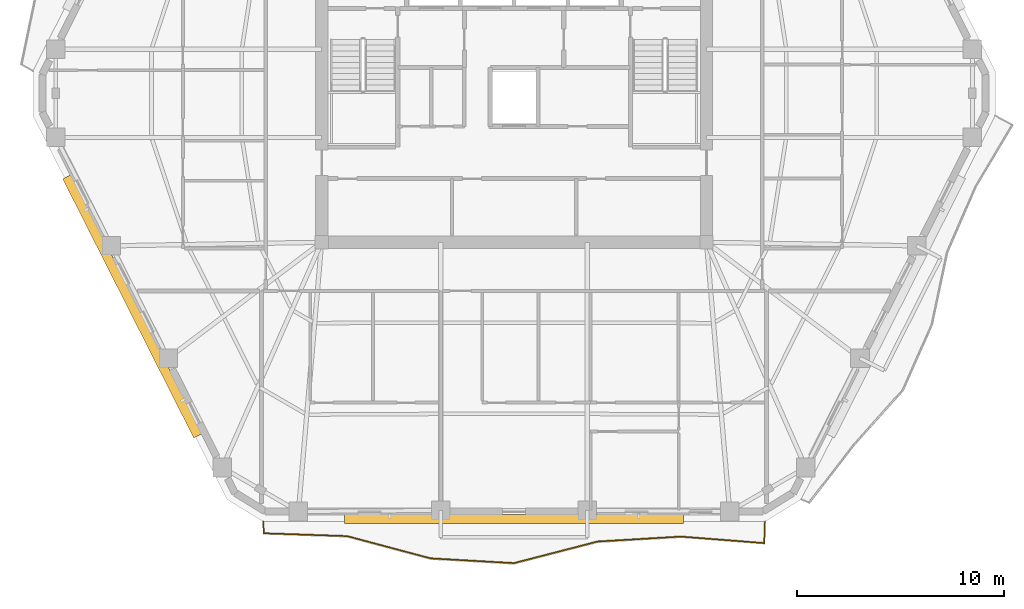
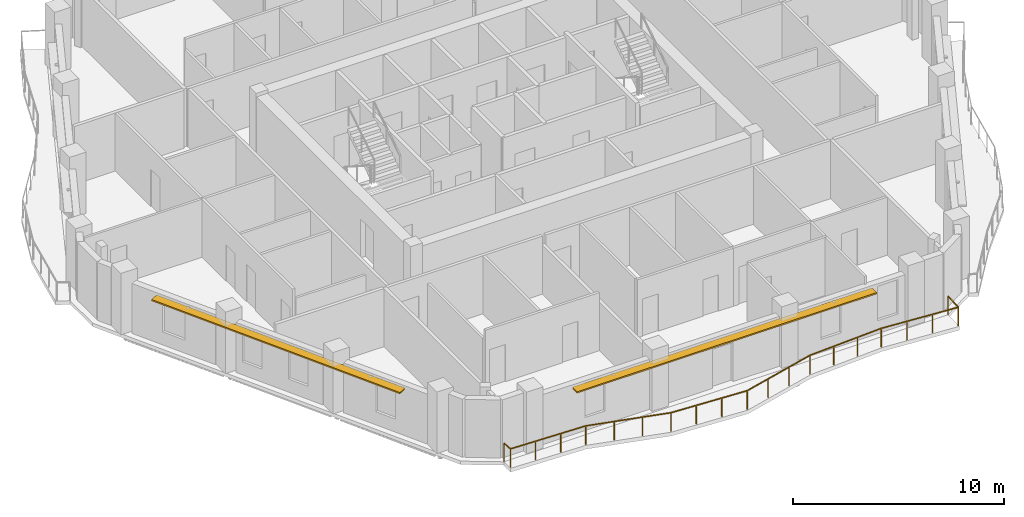
# One storey, part 9 of 11: 2 shading devices, 1 railing.
"""IFC4 building model written with IfcOpenShell, lengths in metres."""

from ifc_helpers import new_model, si_unit, direction, frame, origin, origin_2d, place, context, subcontext, project, spatial, rectangle, extrude, material, layer, layer_set, type_object, element, save


model = new_model("IFC4")

# Units and contexts
model_context = context("Model", 3, precision=1e-05, world=origin(), true_north=direction((0.0, 1.0)))
body_context = subcontext(model_context, "Body", "Model", "MODEL_VIEW")
ifc_project = project(units=[si_unit("LENGTHUNIT", "METRE"), si_unit("AREAUNIT", "SQUARE_METRE"), si_unit("VOLUMEUNIT", "CUBIC_METRE"), si_unit("PLANEANGLEUNIT", "RADIAN"), si_unit("MASSUNIT", "GRAM", prefix="KILO")], contexts=[model_context])

# Site, building, storey
site_placement = place(None, origin())
site = spatial("IfcSite", under=ifc_project, at=site_placement, CompositionType="ELEMENT")
building_placement = place(site_placement, origin())
building = spatial("IfcBuilding", under=site, at=building_placement, Name="Cinnabar Lancet Tower", CompositionType="ELEMENT")
storey_placement = place(building_placement, frame((0.0, 0.0, 182.550048828125)))
storey = spatial("IfcBuildingStorey", under=building, at=storey_placement, Name="L48", CompositionType="ELEMENT", Elevation=182.550048828125)

# Railing
ifc_material_1 = material(Name="Laminated safety glass and bronze stainless steel balustrade", Category="steel")
railing_type = type_object("IfcRailingType", Name="ENV-RLG-BAL-1100", PredefinedType="BALUSTRADE", material=ifc_material_1)
railing_placement = place(storey_placement, frame((20.27197265625, 5.10009765625, 0.0)))
element("IfcRailing", 1, at=railing_placement, inside=storey, type_object=railing_type, Name="L48 Face 1 Wave Balcony Balustrade", PredefinedType="BALUSTRADE", context=body_context, shape_type="SweptSolid", body=[
    extrude(rectangle(XDim=0.048095703125, YDim=0.048095703125, at=origin_2d()), frame((0.0, 0.0, 1.076171875), z_axis=(0.061893251, -0.998082774864, 0.0), x_axis=(0.998082774864, 0.061893251, 0.0)), (0.0, 0.0, 1.0), 0.56396484375),
    extrude(rectangle(XDim=0.048095703125, YDim=0.048095703125, at=origin_2d()), frame((0.034912109375, -0.56298828125, 1.076171875), z_axis=(0.999421843002, -0.033999701923, 0.0), x_axis=(0.033999701923, 0.999421843002, 0.0)), (0.0, 0.0, 1.0), 4.03564453125),
    extrude(rectangle(XDim=0.048095703125, YDim=0.048095703125, at=origin_2d()), frame((4.068115234375, -0.7001953125, 1.076171875), z_axis=(0.966198973921, -0.257797484073, 0.0), x_axis=(0.257797484073, 0.966198973921, 0.0)), (0.0, 0.0, 1.0), 4.169677734375),
    extrude(rectangle(XDim=0.048095703125, YDim=0.048095703125, at=origin_2d()), frame((8.096923828125, -1.775146484375, 1.076171875), z_axis=(0.998376447255, -0.056960245492, 0.0), x_axis=(0.056960245492, 0.998376447255, 0.0)), (0.0, 0.0, 1.0), 4.03759765625),
    extrude(rectangle(XDim=0.048095703125, YDim=0.048095703125, at=origin_2d()), frame((12.1279296875, -2.005126953125, 1.076171875), z_axis=(0.968104983167, 0.250544889325, 0.0), x_axis=(-0.250544889325, 0.968104983167, 0.0)), (0.0, 0.0, 1.0), 4.162841796875),
    extrude(rectangle(XDim=0.048095703125, YDim=0.048095703125, at=origin_2d()), frame((16.157958984375, -0.962158203125, 1.076171875), z_axis=(0.998231571443, 0.059445182936, 0.0), x_axis=(-0.059445182936, 0.998231571443, 0.0)), (0.0, 0.0, 1.0), 4.037109375),
    extrude(rectangle(XDim=0.048095703125, YDim=0.048095703125, at=origin_2d()), frame((20.18798828125, -0.72216796875, 1.076171875), z_axis=(0.996947409015, -0.07807601206, 0.0), x_axis=(0.07807601206, 0.996947409015, 0.0)), (0.0, 0.0, 1.0), 4.04638671875),
    extrude(rectangle(XDim=0.048095703125, YDim=0.048095703125, at=origin_2d()), frame((24.221923828125, -1.0380859375, 1.076171875), z_axis=(0.032907849155, 0.999458390061, 0.0), x_axis=(-0.999458390061, 0.032907849155, 0.0)), (0.0, 0.0, 1.0), 1.03857421875),
    extrude(rectangle(XDim=0.0419921875, YDim=0.0419921875, at=origin_2d()), origin(), (0.0, 0.0, 1.0), 1.052001953125),
    extrude(rectangle(XDim=0.0419921875, YDim=0.0419921875, at=origin_2d()), frame((0.034912109375, -0.56298828125, 0.0)), (0.0, 0.0, 1.0), 1.052001953125),
    extrude(rectangle(XDim=0.0419921875, YDim=0.0419921875, at=origin_2d()), frame((1.37939453125, -0.608642578125, 0.0)), (0.0, 0.0, 1.0), 1.052001953125),
    extrude(rectangle(XDim=0.0419921875, YDim=0.0419921875, at=origin_2d()), frame((2.7236328125, -0.654541015625, 0.0)), (0.0, 0.0, 1.0), 1.052001953125),
    extrude(rectangle(XDim=0.0419921875, YDim=0.0419921875, at=origin_2d()), frame((4.068115234375, -0.7001953125, 0.0)), (0.0, 0.0, 1.0), 1.052001953125),
    extrude(rectangle(XDim=0.0419921875, YDim=0.0419921875, at=origin_2d()), frame((5.4111328125, -1.05859375, 0.0)), (0.0, 0.0, 1.0), 1.052001953125),
    extrude(rectangle(XDim=0.0419921875, YDim=0.0419921875, at=origin_2d()), frame((6.75390625, -1.416748046875, 0.0)), (0.0, 0.0, 1.0), 1.052001953125),
    extrude(rectangle(XDim=0.0419921875, YDim=0.0419921875, at=origin_2d()), frame((8.096923828125, -1.775146484375, 0.0)), (0.0, 0.0, 1.0), 1.052001953125),
    extrude(rectangle(XDim=0.0419921875, YDim=0.0419921875, at=origin_2d()), frame((9.440673828125, -1.851806640625, 0.0)), (0.0, 0.0, 1.0), 1.052001953125),
    extrude(rectangle(XDim=0.0419921875, YDim=0.0419921875, at=origin_2d()), frame((10.7841796875, -1.928466796875, 0.0)), (0.0, 0.0, 1.0), 1.052001953125),
    extrude(rectangle(XDim=0.0419921875, YDim=0.0419921875, at=origin_2d()), frame((12.1279296875, -2.005126953125, 0.0)), (0.0, 0.0, 1.0), 1.052001953125),
    extrude(rectangle(XDim=0.0419921875, YDim=0.0419921875, at=origin_2d()), frame((13.47119140625, -1.657470703125, 0.0)), (0.0, 0.0, 1.0), 1.052001953125),
    extrude(rectangle(XDim=0.0419921875, YDim=0.0419921875, at=origin_2d()), frame((14.814697265625, -1.309814453125, 0.0)), (0.0, 0.0, 1.0), 1.052001953125),
    extrude(rectangle(XDim=0.0419921875, YDim=0.0419921875, at=origin_2d()), frame((16.157958984375, -0.962158203125, 0.0)), (0.0, 0.0, 1.0), 1.052001953125),
    extrude(rectangle(XDim=0.0419921875, YDim=0.0419921875, at=origin_2d()), frame((17.501220703125, -0.882080078125, 0.0)), (0.0, 0.0, 1.0), 1.052001953125),
    extrude(rectangle(XDim=0.0419921875, YDim=0.0419921875, at=origin_2d()), frame((18.8447265625, -0.80224609375, 0.0)), (0.0, 0.0, 1.0), 1.052001953125),
    extrude(rectangle(XDim=0.0419921875, YDim=0.0419921875, at=origin_2d()), frame((20.18798828125, -0.72216796875, 0.0)), (0.0, 0.0, 1.0), 1.052001953125),
    extrude(rectangle(XDim=0.0419921875, YDim=0.0419921875, at=origin_2d()), frame((21.53271484375, -0.827392578125, 0.0)), (0.0, 0.0, 1.0), 1.052001953125),
    extrude(rectangle(XDim=0.0419921875, YDim=0.0419921875, at=origin_2d()), frame((22.877197265625, -0.932861328125, 0.0)), (0.0, 0.0, 1.0), 1.052001953125),
    extrude(rectangle(XDim=0.0419921875, YDim=0.0419921875, at=origin_2d()), frame((24.221923828125, -1.0380859375, 0.0)), (0.0, 0.0, 1.0), 1.052001953125),
    extrude(rectangle(XDim=0.0419921875, YDim=0.0419921875, at=origin_2d()), frame((24.256103515625, 0.0, 0.0)), (0.0, 0.0, 1.0), 1.052001953125),
])

# Shading devices
ifc_material_2 = material(Name="Pale limestone architectural aluminium sunshade", Category="masonry")
ifc_layer = layer(ifc_material_2, 0.080078125)
ifc_layer_set = layer_set([ifc_layer], Name="Pale limestone architectural aluminium sunshade")
shading_device_type = type_object("IfcShadingDeviceType", Name="ENV-SHD-LVR-450", PredefinedType="JALOUSIE", material=ifc_layer_set)
shading_device_1_placement = place(storey_placement, frame((32.39990234375, 5.22998046875, 2.639892578125), z_axis=(0.0, 0.0, 1.0), x_axis=(1.0, 0.0, 0.0)))
element("IfcShadingDevice", 2, at=shading_device_1_placement, inside=storey, type_object=shading_device_type, Name="L48 Face 1 Horizontal Sunshade Canopy", PredefinedType="JALOUSIE", context=body_context, shape_type="SweptSolid", body=[
    extrude(rectangle(XDim=16.3720703125, YDim=0.449951171875, at=origin_2d()), origin(), (0.0, 0.0, 1.0), 0.080078125),
])
shading_device_2_placement = place(storey_placement, frame((13.9541015625, 15.506103515625, 2.639892578125), z_axis=(0.0, 0.0, 1.0), x_axis=(0.45140713236, -0.892318105193, 0.0)))
element("IfcShadingDevice", 3, at=shading_device_2_placement, inside=storey, type_object=shading_device_type, Name="L48 Face 6 Horizontal Sunshade Canopy", PredefinedType="JALOUSIE", context=body_context, shape_type="SweptSolid", body=[
    extrude(rectangle(XDim=14.034912109375, YDim=0.449951171875, at=origin_2d()), origin(), (0.0, 0.0, 1.0), 0.080078125),
])

save(model, "model.ifc")
